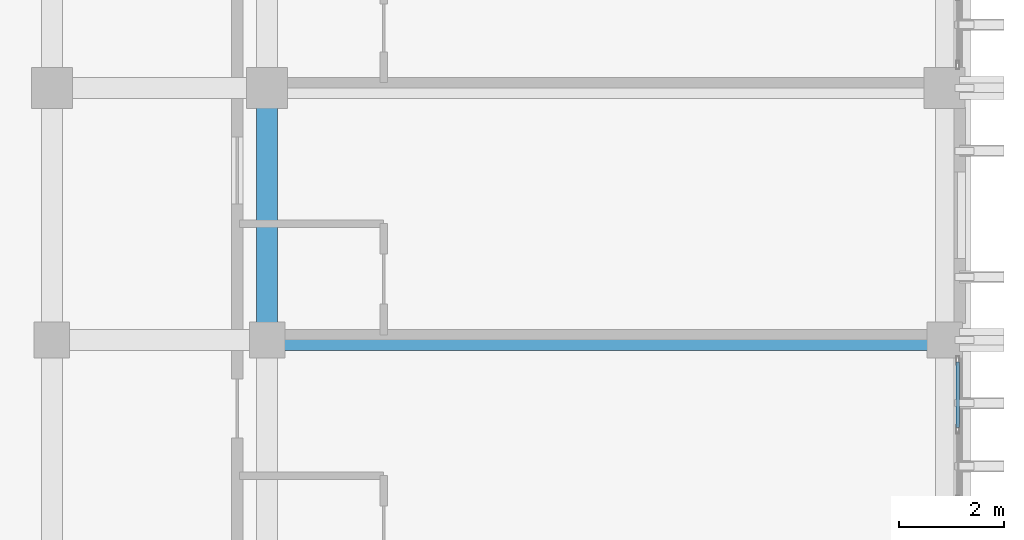
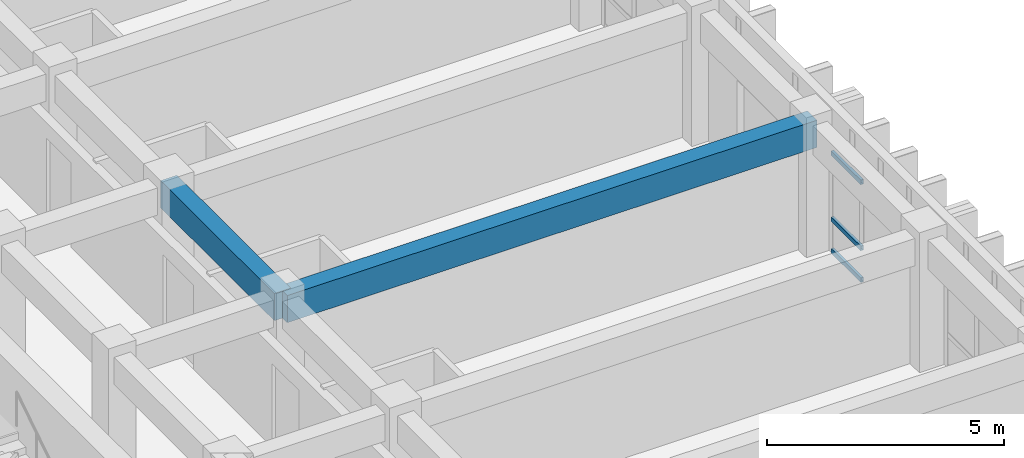
# One storey, part 31 of 68: 3 members, 2 beams, 1 element without a shape of its own.
"""IFC4 building model written with IfcOpenShell, lengths in metres."""

from ifc_helpers import new_model, si_unit, direction, frame, origin, origin_2d, place, context, subcontext, project, spatial, rectangle, hollow_rectangle, extrude, material, layer, layer_set, material_profile, profile_set, type_object, element, aggregate, save


model = new_model("IFC4")

# Units and contexts
model_context = context("Model", 3, precision=1e-05, world=origin(), true_north=direction((0.0, 1.0)))
body_context = subcontext(model_context, "Body", "Model", "MODEL_VIEW")
ifc_project = project(units=[si_unit("LENGTHUNIT", "METRE"), si_unit("AREAUNIT", "SQUARE_METRE"), si_unit("VOLUMEUNIT", "CUBIC_METRE"), si_unit("PLANEANGLEUNIT", "RADIAN"), si_unit("MASSUNIT", "GRAM", prefix="KILO")], contexts=[model_context])

# Site, building, storey
site_placement = place(None, origin())
site = spatial("IfcSite", under=ifc_project, at=site_placement, CompositionType="ELEMENT")
building_placement = place(site_placement, origin())
building = spatial("IfcBuilding", under=site, at=building_placement, Name="Nakhvara Creek Congress Hotel", CompositionType="ELEMENT")
storey_placement = place(building_placement, frame((0.0, 0.0, 24.60009765625)))
storey = spatial("IfcBuildingStorey", under=building, at=storey_placement, Name="L05", CompositionType="ELEMENT", Elevation=24.60009765625)

# Beams
ifc_material_1 = material(Name="Concrete C40/50", Category="concrete")
ifc_material_profile_1 = material_profile(ifc_material_1, rectangle(XDim=0.39990234375, YDim=0.699951171875, at=origin_2d()), Name="RC-BM 400x700", Category="LoadBearing")
ifc_profile_set_1 = profile_set([ifc_material_profile_1], Name="Concrete C40/50")
beam_type = type_object("IfcBeamType", Name="BM-RC-400X700", PredefinedType="BEAM", material=ifc_profile_set_1)
beam_1_placement = place(storey_placement, frame((166.449951171875, 81.60009765625, 2.989990234375), z_axis=(0.0, 1.0, 0.0), x_axis=(-1.0, 0.0, 0.0)))
element("IfcBeam", 1, at=beam_1_placement, inside=storey, type_object=beam_type, Name="Beam B05-L05-2134", PredefinedType="BEAM", context=body_context, shape_type="SweptSolid", body=[
    extrude(rectangle(XDim=0.39990234375, YDim=0.699951171875, at=origin_2d()), origin(), (0.0, 0.0, 1.0), 4.7998046875),
])
beam_2_placement = place(storey_placement, frame((166.449951171875, 81.60009765625, 2.989990234375), z_axis=(1.0, 0.0, 0.0), x_axis=(0.0, 1.0, 0.0)))
element("IfcBeam", 2, at=beam_2_placement, inside=storey, type_object=beam_type, Name="Beam B05-L05-2188", PredefinedType="BEAM", context=body_context, shape_type="SweptSolid", body=[
    extrude(rectangle(XDim=0.39990234375, YDim=0.699951171875, at=origin_2d()), origin(), (0.0, 0.0, 1.0), 12.900146484375),
])

# Curtain wall, members
ifc_material_2 = material(Name="Bronze-anodised aluminium AW-6063-T6 and double-silver low-E glass", Category="aluminium")
ifc_layer = layer(ifc_material_2, 0.199951171875)
ifc_layer_set = layer_set([ifc_layer], Name="Bronze-anodised aluminium AW-6063-T6 and double-silver low-E glass")
curtain_wall_type = type_object("IfcCurtainWallType", Name="CW-HTL-UNIT", PredefinedType="USERDEFINED", material=ifc_layer_set)
curtain_wall_placement = place(storey_placement, origin())
curtain_wall = element("IfcCurtainWall", 3, at=curtain_wall_placement, inside=storey, type_object=curtain_wall_type, Name="Curtain Wall CW216", ObjectType="UNITISED", PredefinedType="USERDEFINED")
ifc_material_3 = material(Name="Bronze-anodised aluminium AW-6063-T6", Category="aluminium")
ifc_material_profile_2 = material_profile(ifc_material_3, hollow_rectangle(XDim=0.06494140625, YDim=0.1201171875, WallThickness=0.00390625, at=origin_2d()), Name="ALU-TRAN 65x120x4", Category="LoadBearing")
ifc_profile_set_2 = profile_set([ifc_material_profile_2], Name="Bronze-anodised aluminium AW-6063-T6")
member_type = type_object("IfcMemberType", Name="CW-TRAN-120", PredefinedType="USERDEFINED", material=ifc_profile_set_2)
member_1_placement = place(storey_placement, frame((179.60009765625, 81.179931640625, 0.032470703125), z_axis=(0.0, -1.0, 0.0), x_axis=(1.0, 0.0, 0.0)))
member_1 = element("IfcMember", 4, at=member_1_placement, type_object=member_type, Name="CW216 transom 1.1", ObjectType="TRANSOM", PredefinedType="USERDEFINED", context=body_context, shape_type="SweptSolid", body=[
    extrude(hollow_rectangle(XDim=0.06494140625, YDim=0.1201171875, WallThickness=0.00390625, at=origin_2d()), origin(), (0.0, 0.0, 1.0), 1.2490234375),
])
member_2_placement = place(storey_placement, frame((179.60009765625, 81.179931640625, 0.849853515625), z_axis=(0.0, -1.0, 0.0), x_axis=(1.0, 0.0, 0.0)))
member_2 = element("IfcMember", 5, at=member_2_placement, type_object=member_type, Name="CW216 transom 1.2", ObjectType="TRANSOM", PredefinedType="USERDEFINED", context=body_context, shape_type="SweptSolid", body=[
    extrude(hollow_rectangle(XDim=0.06494140625, YDim=0.1201171875, WallThickness=0.00390625, at=origin_2d()), origin(), (0.0, 0.0, 1.0), 1.2490234375),
])
member_3_placement = place(storey_placement, frame((179.60009765625, 81.179931640625, 2.54931640625), z_axis=(0.0, -1.0, 0.0), x_axis=(1.0, 0.0, 0.0)))
member_3 = element("IfcMember", 6, at=member_3_placement, type_object=member_type, Name="CW216 transom 1.3", ObjectType="TRANSOM", PredefinedType="USERDEFINED", context=body_context, shape_type="SweptSolid", body=[
    extrude(hollow_rectangle(XDim=0.06494140625, YDim=0.1201171875, WallThickness=0.00390625, at=origin_2d()), origin(), (0.0, 0.0, 1.0), 1.2490234375),
])
aggregate(curtain_wall, [member_1, member_2, member_3])

save(model, "model.ifc")
